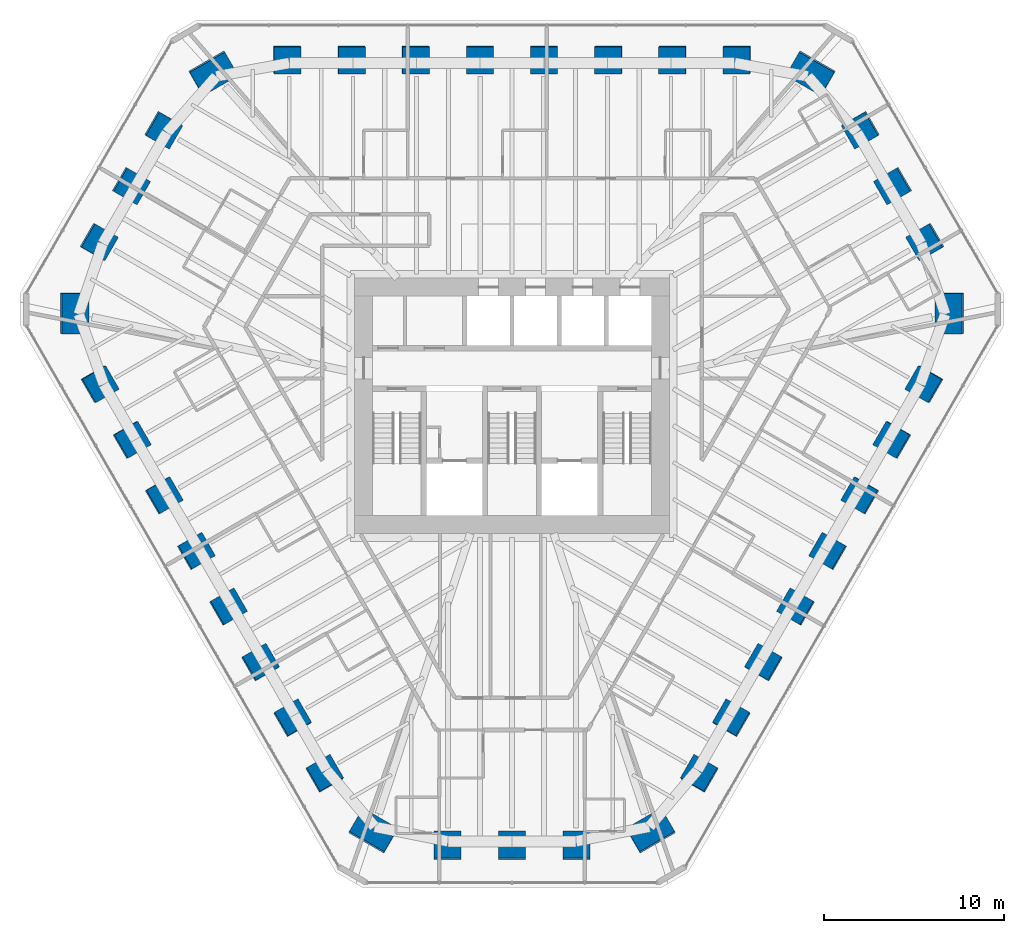
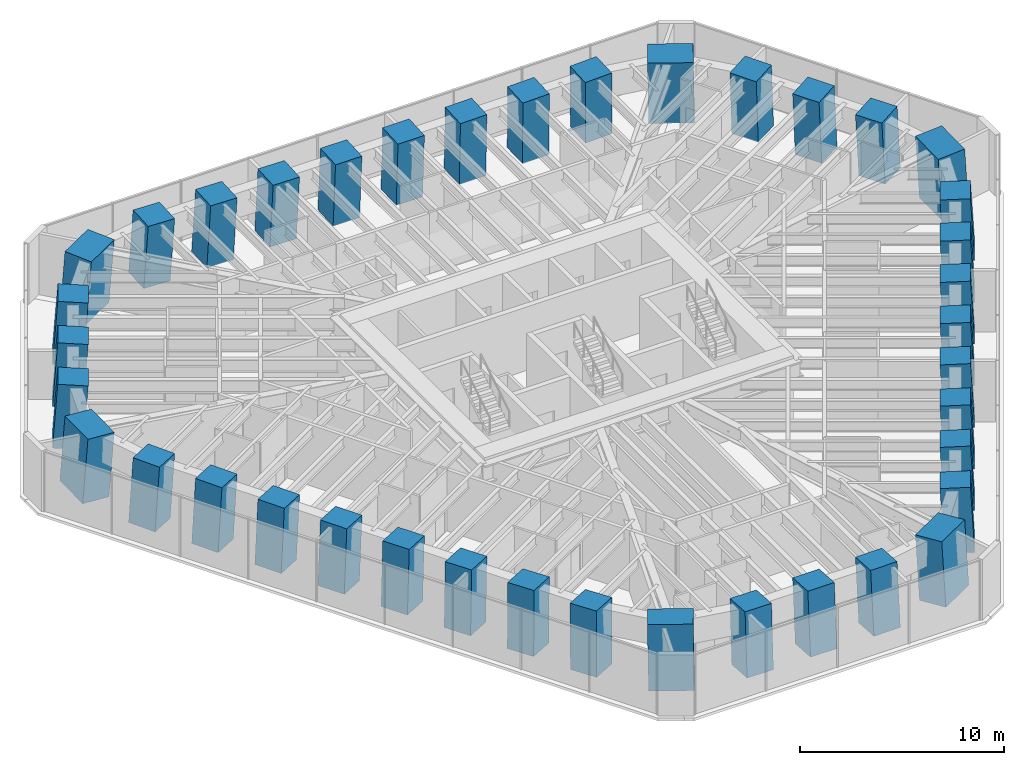
# One storey, part 1 of 16: 39 columns.
"""IFC4 building model written with IfcOpenShell, lengths in metres."""

from ifc_helpers import new_model, si_unit, direction, frame, origin, origin_2d, place, context, subcontext, project, spatial, rectangle, extrude, material, material_profile, profile_set, type_object, element, save


model = new_model("IFC4")

# Units and contexts
model_context = context("Model", 3, precision=1e-05, world=origin(), true_north=direction((0.0, 1.0)))
body_context = subcontext(model_context, "Body", "Model", "MODEL_VIEW")
ifc_project = project(units=[si_unit("LENGTHUNIT", "METRE"), si_unit("AREAUNIT", "SQUARE_METRE"), si_unit("VOLUMEUNIT", "CUBIC_METRE"), si_unit("PLANEANGLEUNIT", "RADIAN"), si_unit("MASSUNIT", "GRAM", prefix="KILO")], contexts=[model_context])

# Site, building, storey
site_placement = place(None, origin())
site = spatial("IfcSite", under=ifc_project, at=site_placement, CompositionType="ELEMENT")
building_placement = place(site_placement, origin())
building = spatial("IfcBuilding", under=site, at=building_placement, Name="Sandreach Pilgrim Tower", CompositionType="ELEMENT")
storey_placement = place(building_placement, frame((0.0, 0.0, 244.0)))
storey = spatial("IfcBuildingStorey", under=building, at=storey_placement, Name="L61", CompositionType="ELEMENT", Elevation=244.0)

# Columns
ifc_material_1 = material(Name="Concrete 10000 psi", Category="concrete")
ifc_material_profile_1 = material_profile(ifc_material_1, rectangle(XDim=1.5, YDim=1.5, at=origin_2d()), Name="RC1500X1500")
ifc_profile_set_1 = profile_set([ifc_material_profile_1], Name="Concrete 10000 psi")
column_type_1 = type_object("IfcColumnType", Name="Raked tube column RC1500X1500", PredefinedType="COLUMN", material=ifc_profile_set_1)
column_1_placement = place(storey_placement, frame((-12.5166015625, 19.273193359375, 0.0), z_axis=(0.035389237911, -0.054494297508, 0.997886753785), x_axis=(0.001945498476, 0.998514081693, 0.054459560185)))
element("IfcColumn", 1, at=column_1_placement, inside=storey, type_object=column_type_1, Name="COL L61 T01", PredefinedType="COLUMN", context=body_context, shape_type="SweptSolid", body=[
    extrude(rectangle(XDim=1.5, YDim=1.5, at=origin_2d()), origin(), (0.0, 0.0, 1.0), 3.80810546875),
])
column_2_placement = place(storey_placement, frame((-8.940673828125, 19.273681640625, 0.0), z_axis=(0.025331473271, -0.054574895579, 0.998188307502), x_axis=(0.00115198679, 0.998509652845, 0.054563230311)))
element("IfcColumn", 2, at=column_2_placement, inside=storey, type_object=column_type_1, Name="COL L61 T02", PredefinedType="COLUMN", context=body_context, shape_type="SweptSolid", body=[
    extrude(rectangle(XDim=1.5, YDim=1.5, at=origin_2d()), origin(), (0.0, 0.0, 1.0), 3.806884765625),
])
column_3_placement = place(storey_placement, frame((-5.364501953125, 19.274169921875, 0.0), z_axis=(0.015202005844, -0.054586105372, 0.998393337377), x_axis=(0.000673726901, 0.998509054749, 0.054582173615)))
element("IfcColumn", 3, at=column_3_placement, inside=storey, type_object=column_type_1, Name="COL L61 T03", PredefinedType="COLUMN", context=body_context, shape_type="SweptSolid", body=[
    extrude(rectangle(XDim=1.5, YDim=1.5, at=origin_2d()), origin(), (0.0, 0.0, 1.0), 3.80615234375),
])
for number, where, z_axis, x_axis, name in (
    (4, (-1.788330078125, 19.274658203125, 0.0), (0.005067855835, -0.054591712859, 0.998495899703), (0.000221054868, 0.998508758979, 0.054591293964), "COL L61 T04"),
    (5, (1.788330078125, 19.274658203125, 0.0), (-0.005067855835, -0.054591712859, 0.998495899703), (-0.000221054868, 0.998508758979, 0.054591293964), "COL L61 T05"),
):
    element("IfcColumn", number, at=place(storey_placement, frame(where, z_axis=z_axis, x_axis=x_axis)), inside=storey, type_object=column_type_1, Name=name, PredefinedType="COLUMN", context=body_context, shape_type="SweptSolid", body=[
        extrude(rectangle(XDim=1.5, YDim=1.5, at=origin_2d()), origin(), (0.0, 0.0, 1.0), 3.8056640625),
    ])
column_4_placement = place(storey_placement, frame((5.364501953125, 19.274169921875, 0.0), z_axis=(-0.015202005844, -0.054586105372, 0.998393337377), x_axis=(-0.000673726901, 0.998509054749, 0.054582173615)))
element("IfcColumn", 6, at=column_4_placement, inside=storey, type_object=column_type_1, Name="COL L61 T06", PredefinedType="COLUMN", context=body_context, shape_type="SweptSolid", body=[
    extrude(rectangle(XDim=1.5, YDim=1.5, at=origin_2d()), origin(), (0.0, 0.0, 1.0), 3.80615234375),
])
column_5_placement = place(storey_placement, frame((8.940673828125, 19.273681640625, 0.0), z_axis=(-0.025331473271, -0.054574895579, 0.998188307502), x_axis=(-0.00115198679, 0.998509652845, 0.054563230311)))
element("IfcColumn", 7, at=column_5_placement, inside=storey, type_object=column_type_1, Name="COL L61 T07", PredefinedType="COLUMN", context=body_context, shape_type="SweptSolid", body=[
    extrude(rectangle(XDim=1.5, YDim=1.5, at=origin_2d()), origin(), (0.0, 0.0, 1.0), 3.806884765625),
])
column_6_placement = place(storey_placement, frame((12.5166015625, 19.273193359375, 0.0), z_axis=(-0.035389237911, -0.054494297508, 0.997886753785), x_axis=(-0.001945498476, 0.998514081693, 0.054459560185)))
element("IfcColumn", 8, at=column_6_placement, inside=storey, type_object=column_type_1, Name="COL L61 T08", PredefinedType="COLUMN", context=body_context, shape_type="SweptSolid", body=[
    extrude(rectangle(XDim=1.5, YDim=1.5, at=origin_2d()), origin(), (0.0, 0.0, 1.0), 3.80810546875),
])
column_7_placement = place(storey_placement, frame((19.404541015625, 15.354736328125, 0.0), z_axis=(-0.05403142055, -0.042686745061, 0.997626406722), x_axis=(0.864743208297, 0.497572308908, 0.068124746696)))
element("IfcColumn", 9, at=column_7_placement, inside=storey, type_object=column_type_1, Name="COL L61 T10", PredefinedType="COLUMN", context=body_context, shape_type="SweptSolid", body=[
    extrude(rectangle(XDim=1.5, YDim=1.5, at=origin_2d()), origin(), (0.0, 0.0, 1.0), 3.80908203125),
])
column_8_placement = place(storey_placement, frame((21.20263671875, 12.241455078125, 0.0), z_axis=(-0.05903355077, -0.034099727481, 0.997673417742), x_axis=(0.863904737752, 0.499019891948, 0.068174419916)))
element("IfcColumn", 10, at=column_8_placement, inside=storey, type_object=column_type_1, Name="COL L61 T11", PredefinedType="COLUMN", context=body_context, shape_type="SweptSolid", body=[
    extrude(rectangle(XDim=1.5, YDim=1.5, at=origin_2d()), origin(), (0.0, 0.0, 1.0), 3.808837890625),
])
column_9_placement = place(storey_placement, frame((23.0, 9.12744140625, 0.0), z_axis=(-0.064029932807, -0.025445328653, 0.997623527667), x_axis=(0.863429873399, 0.499842225125, 0.068166001086)))
element("IfcColumn", 11, at=column_9_placement, inside=storey, type_object=column_type_1, Name="COL L61 T12", PredefinedType="COLUMN", context=body_context, shape_type="SweptSolid", body=[
    extrude(rectangle(XDim=1.5, YDim=1.5, at=origin_2d()), origin(), (0.0, 0.0, 1.0), 3.80908203125),
])
column_10_placement = place(storey_placement, frame((22.949462890625, 1.203125, 0.0), z_axis=(-0.064944143672, -0.003397867339, 0.997883115751), x_axis=(0.863717362202, -0.501020333053, 0.054506367508)))
element("IfcColumn", 12, at=column_10_placement, inside=storey, type_object=column_type_1, Name="COL L61 T14", PredefinedType="COLUMN", context=body_context, shape_type="SweptSolid", body=[
    extrude(rectangle(XDim=1.5, YDim=1.5, at=origin_2d()), origin(), (0.0, 0.0, 1.0), 3.80810546875),
])
column_11_placement = place(storey_placement, frame((21.161865234375, -1.89404296875, 0.0), z_axis=(-0.059897811742, 0.005386955232, 0.998189978342), x_axis=(0.863828729651, -0.500824842558, 0.05453808675)))
element("IfcColumn", 13, at=column_11_placement, inside=storey, type_object=column_type_1, Name="COL L61 T15", PredefinedType="COLUMN", context=body_context, shape_type="SweptSolid", body=[
    extrude(rectangle(XDim=1.5, YDim=1.5, at=origin_2d()), origin(), (0.0, 0.0, 1.0), 3.806884765625),
])
column_12_placement = place(storey_placement, frame((19.374267578125, -4.9912109375, 0.0), z_axis=(-0.054906736272, 0.014111544369, 0.998391764102), x_axis=(0.864606052926, -0.499473967902, 0.054608869531)))
element("IfcColumn", 14, at=column_12_placement, inside=storey, type_object=column_type_1, Name="COL L61 T16", PredefinedType="COLUMN", context=body_context, shape_type="SweptSolid", body=[
    extrude(rectangle(XDim=1.5, YDim=1.5, at=origin_2d()), origin(), (0.0, 0.0, 1.0), 3.80615234375),
])
for number, where, z_axis, x_axis, name in (
    (15, (17.58642578125, -8.088623046875, 0.0), (-0.049844531908, 0.022901541687, 0.998494387579), (0.864791617374, -0.499151535401, 0.054618707667), "COL L61 T17"),
    (16, (15.798095703125, -11.185791015625, 0.0), (-0.044712747215, 0.031626089493, 0.998499154081), (0.865119259574, -0.498592920815, 0.054532247599), "COL L61 T18"),
):
    element("IfcColumn", number, at=place(storey_placement, frame(where, z_axis=z_axis, x_axis=x_axis)), inside=storey, type_object=column_type_1, Name=name, PredefinedType="COLUMN", context=body_context, shape_type="SweptSolid", body=[
        extrude(rectangle(XDim=1.5, YDim=1.5, at=origin_2d()), origin(), (0.0, 0.0, 1.0), 3.8056640625),
    ])
column_13_placement = place(storey_placement, frame((14.009521484375, -14.282958984375, 0.0), z_axis=(-0.039640696707, 0.040474562496, 0.998393922736), x_axis=(0.864775130598, -0.499185180443, 0.054572237685)))
element("IfcColumn", 17, at=column_13_placement, inside=storey, type_object=column_type_1, Name="COL L61 T19", PredefinedType="COLUMN", context=body_context, shape_type="SweptSolid", body=[
    extrude(rectangle(XDim=1.5, YDim=1.5, at=origin_2d()), origin(), (0.0, 0.0, 1.0), 3.80615234375),
])
column_14_placement = place(storey_placement, frame((12.22119140625, -17.379638671875, 0.0), z_axis=(-0.03456633886, 0.04918809259, 0.998191214029), x_axis=(0.865277468139, -0.498319705598, 0.054519484068)))
element("IfcColumn", 18, at=column_14_placement, inside=storey, type_object=column_type_1, Name="COL L61 T20", PredefinedType="COLUMN", context=body_context, shape_type="SweptSolid", body=[
    extrude(rectangle(XDim=1.5, YDim=1.5, at=origin_2d()), origin(), (0.0, 0.0, 1.0), 3.806884765625),
])
column_15_placement = place(storey_placement, frame((10.432861328125, -20.476318359375, 0.0), z_axis=(-0.02955498868, 0.05795598648, 0.997881559242), x_axis=(0.865880688817, -0.49727005386, 0.054526381384)))
element("IfcColumn", 19, at=column_15_placement, inside=storey, type_object=column_type_1, Name="COL L61 T21", PredefinedType="COLUMN", context=body_context, shape_type="SweptSolid", body=[
    extrude(rectangle(XDim=1.5, YDim=1.5, at=origin_2d()), origin(), (0.0, 0.0, 1.0), 3.80810546875),
])
column_16_placement = place(storey_placement, frame((3.595458984375, -24.482177734375, 0.0), z_axis=(-0.009998694988, 0.068132133153, 0.997626201806), x_axis=(-0.000785320082, -0.997676301199, 0.068127683793)))
element("IfcColumn", 20, at=column_16_placement, inside=storey, type_object=column_type_1, Name="COL L61 T23", PredefinedType="COLUMN", context=body_context, shape_type="SweptSolid", body=[
    extrude(rectangle(XDim=1.5, YDim=1.5, at=origin_2d()), origin(), (0.0, 0.0, 1.0), 3.80908203125),
])
column_17_placement = place(storey_placement, frame((0.0, -24.482666015625, 0.0), z_axis=(0.0, 0.068135539126, 0.997676073838), x_axis=(0.0, -0.997676073838, 0.068135539126)))
element("IfcColumn", 21, at=column_17_placement, inside=storey, type_object=column_type_1, Name="COL L61 T24", PredefinedType="COLUMN", context=body_context, shape_type="SweptSolid", body=[
    extrude(rectangle(XDim=1.5, YDim=1.5, at=origin_2d()), origin(), (0.0, 0.0, 1.0), 3.808837890625),
])
column_18_placement = place(storey_placement, frame((-3.595458984375, -24.482177734375, 0.0), z_axis=(0.009998694988, 0.068132133153, 0.997626201806), x_axis=(0.000785320082, -0.997676301199, 0.068127683793)))
element("IfcColumn", 22, at=column_18_placement, inside=storey, type_object=column_type_1, Name="COL L61 T25", PredefinedType="COLUMN", context=body_context, shape_type="SweptSolid", body=[
    extrude(rectangle(XDim=1.5, YDim=1.5, at=origin_2d()), origin(), (0.0, 0.0, 1.0), 3.80908203125),
])
column_19_placement = place(storey_placement, frame((-10.432861328125, -20.476318359375, 0.0), z_axis=(0.02955498868, 0.05795598648, 0.997881559242), x_axis=(-0.865880688817, -0.49727005386, 0.054526381384)))
element("IfcColumn", 23, at=column_19_placement, inside=storey, type_object=column_type_1, Name="COL L61 T27", PredefinedType="COLUMN", context=body_context, shape_type="SweptSolid", body=[
    extrude(rectangle(XDim=1.5, YDim=1.5, at=origin_2d()), origin(), (0.0, 0.0, 1.0), 3.80810546875),
])
column_20_placement = place(storey_placement, frame((-12.22119140625, -17.379638671875, 0.0), z_axis=(0.03456633886, 0.04918809259, 0.998191214029), x_axis=(-0.865277468139, -0.498319705598, 0.054519484068)))
element("IfcColumn", 24, at=column_20_placement, inside=storey, type_object=column_type_1, Name="COL L61 T28", PredefinedType="COLUMN", context=body_context, shape_type="SweptSolid", body=[
    extrude(rectangle(XDim=1.5, YDim=1.5, at=origin_2d()), origin(), (0.0, 0.0, 1.0), 3.806884765625),
])
column_21_placement = place(storey_placement, frame((-14.009521484375, -14.282958984375, 0.0), z_axis=(0.039640696707, 0.040474562496, 0.998393922736), x_axis=(-0.864775130598, -0.499185180443, 0.054572237685)))
element("IfcColumn", 25, at=column_21_placement, inside=storey, type_object=column_type_1, Name="COL L61 T29", PredefinedType="COLUMN", context=body_context, shape_type="SweptSolid", body=[
    extrude(rectangle(XDim=1.5, YDim=1.5, at=origin_2d()), origin(), (0.0, 0.0, 1.0), 3.80615234375),
])
for number, where, z_axis, x_axis, name in (
    (26, (-15.798095703125, -11.185791015625, 0.0), (0.044712747215, 0.031626089493, 0.998499154081), (-0.865119259574, -0.498592920815, 0.054532247599), "COL L61 T30"),
    (27, (-17.58642578125, -8.088623046875, 0.0), (0.049844531908, 0.022901541687, 0.998494387579), (-0.864791617374, -0.499151535401, 0.054618707667), "COL L61 T31"),
):
    element("IfcColumn", number, at=place(storey_placement, frame(where, z_axis=z_axis, x_axis=x_axis)), inside=storey, type_object=column_type_1, Name=name, PredefinedType="COLUMN", context=body_context, shape_type="SweptSolid", body=[
        extrude(rectangle(XDim=1.5, YDim=1.5, at=origin_2d()), origin(), (0.0, 0.0, 1.0), 3.8056640625),
    ])
column_22_placement = place(storey_placement, frame((-19.374267578125, -4.9912109375, 0.0), z_axis=(0.054906736272, 0.014111544369, 0.998391764102), x_axis=(-0.864606052926, -0.499473967902, 0.054608869531)))
element("IfcColumn", 28, at=column_22_placement, inside=storey, type_object=column_type_1, Name="COL L61 T32", PredefinedType="COLUMN", context=body_context, shape_type="SweptSolid", body=[
    extrude(rectangle(XDim=1.5, YDim=1.5, at=origin_2d()), origin(), (0.0, 0.0, 1.0), 3.80615234375),
])
column_23_placement = place(storey_placement, frame((-21.161865234375, -1.89404296875, 0.0), z_axis=(0.059897811742, 0.005386955232, 0.998189978342), x_axis=(-0.863828729651, -0.500824842558, 0.05453808675)))
element("IfcColumn", 29, at=column_23_placement, inside=storey, type_object=column_type_1, Name="COL L61 T33", PredefinedType="COLUMN", context=body_context, shape_type="SweptSolid", body=[
    extrude(rectangle(XDim=1.5, YDim=1.5, at=origin_2d()), origin(), (0.0, 0.0, 1.0), 3.806884765625),
])
column_24_placement = place(storey_placement, frame((-22.949462890625, 1.203125, 0.0), z_axis=(0.064944143672, -0.003397867339, 0.997883115751), x_axis=(-0.863717362202, -0.501020333053, 0.054506367508)))
element("IfcColumn", 30, at=column_24_placement, inside=storey, type_object=column_type_1, Name="COL L61 T34", PredefinedType="COLUMN", context=body_context, shape_type="SweptSolid", body=[
    extrude(rectangle(XDim=1.5, YDim=1.5, at=origin_2d()), origin(), (0.0, 0.0, 1.0), 3.80810546875),
])
column_25_placement = place(storey_placement, frame((-23.0, 9.12744140625, 0.0), z_axis=(0.064029932807, -0.025445328653, 0.997623527667), x_axis=(-0.863429873399, 0.499842225125, 0.068166001086)))
element("IfcColumn", 31, at=column_25_placement, inside=storey, type_object=column_type_1, Name="COL L61 T36", PredefinedType="COLUMN", context=body_context, shape_type="SweptSolid", body=[
    extrude(rectangle(XDim=1.5, YDim=1.5, at=origin_2d()), origin(), (0.0, 0.0, 1.0), 3.80908203125),
])
column_26_placement = place(storey_placement, frame((-21.20263671875, 12.241455078125, 0.0), z_axis=(0.05903355077, -0.034099727481, 0.997673417742), x_axis=(-0.863904737752, 0.499019891948, 0.068174419916)))
element("IfcColumn", 32, at=column_26_placement, inside=storey, type_object=column_type_1, Name="COL L61 T37", PredefinedType="COLUMN", context=body_context, shape_type="SweptSolid", body=[
    extrude(rectangle(XDim=1.5, YDim=1.5, at=origin_2d()), origin(), (0.0, 0.0, 1.0), 3.808837890625),
])
column_27_placement = place(storey_placement, frame((-19.404541015625, 15.354736328125, 0.0), z_axis=(0.05403142055, -0.042686745061, 0.997626406722), x_axis=(-0.864743208297, 0.497572308908, 0.068124746696)))
element("IfcColumn", 33, at=column_27_placement, inside=storey, type_object=column_type_1, Name="COL L61 T38", PredefinedType="COLUMN", context=body_context, shape_type="SweptSolid", body=[
    extrude(rectangle(XDim=1.5, YDim=1.5, at=origin_2d()), origin(), (0.0, 0.0, 1.0), 3.80908203125),
])
ifc_material_2 = material(Name="Concrete 10000 psi", Category="concrete")
ifc_material_profile_2 = material_profile(ifc_material_2, rectangle(XDim=1.5, YDim=2.25, at=origin_2d()), Name="RC1500X2250")
ifc_profile_set_2 = profile_set([ifc_material_profile_2], Name="Concrete 10000 psi")
column_type_2 = type_object("IfcColumnType", Name="Raked tube corner pier RC1500X2250", PredefinedType="COLUMN", material=ifc_profile_set_2)
for number, where, z_axis, x_axis, name in (
    (34, (16.632080078125, 18.522705078125, 0.0), (-0.047422507184, -0.052869687063, 0.997474762589), (0.497441372682, 0.864710520134, 0.069482351101), "COL L61 T09"),
    (35, (24.357177734375, 5.142578125, 0.0), (-0.069531443306, -0.014675300016, 0.997471811111), (0.99757975799, -0.001092604117, 0.069522893098), "COL L61 T13"),
    (36, (7.724853515625, -23.665283203125, 0.0), (-0.022045010904, 0.06754488806, 0.997472659069), (0.499636222159, -0.863441852085, 0.069511247833), "COL L61 T22"),
    (37, (-7.724853515625, -23.665283203125, 0.0), (0.022045010904, 0.06754488806, 0.997472659069), (-0.499636222159, -0.863441852085, 0.069511247833), "COL L61 T26"),
    (38, (-24.357177734375, 5.142578125, 0.0), (0.069531443306, -0.014675300016, 0.997471811111), (-0.99757975799, -0.001092604117, 0.069522893098), "COL L61 T35"),
    (39, (-16.632080078125, 18.522705078125, 0.0), (0.047422507184, -0.052869687063, 0.997474762589), (-0.497441372682, 0.864710520134, 0.069482351101), "COL L61 T39"),
):
    element("IfcColumn", number, at=place(storey_placement, frame(where, z_axis=z_axis, x_axis=x_axis)), inside=storey, type_object=column_type_2, Name=name, PredefinedType="COLUMN", context=body_context, shape_type="SweptSolid", body=[
        extrude(rectangle(XDim=1.5, YDim=2.25, at=origin_2d()), origin(), (0.0, 0.0, 1.0), 3.8095703125),
    ])

save(model, "model.ifc")
